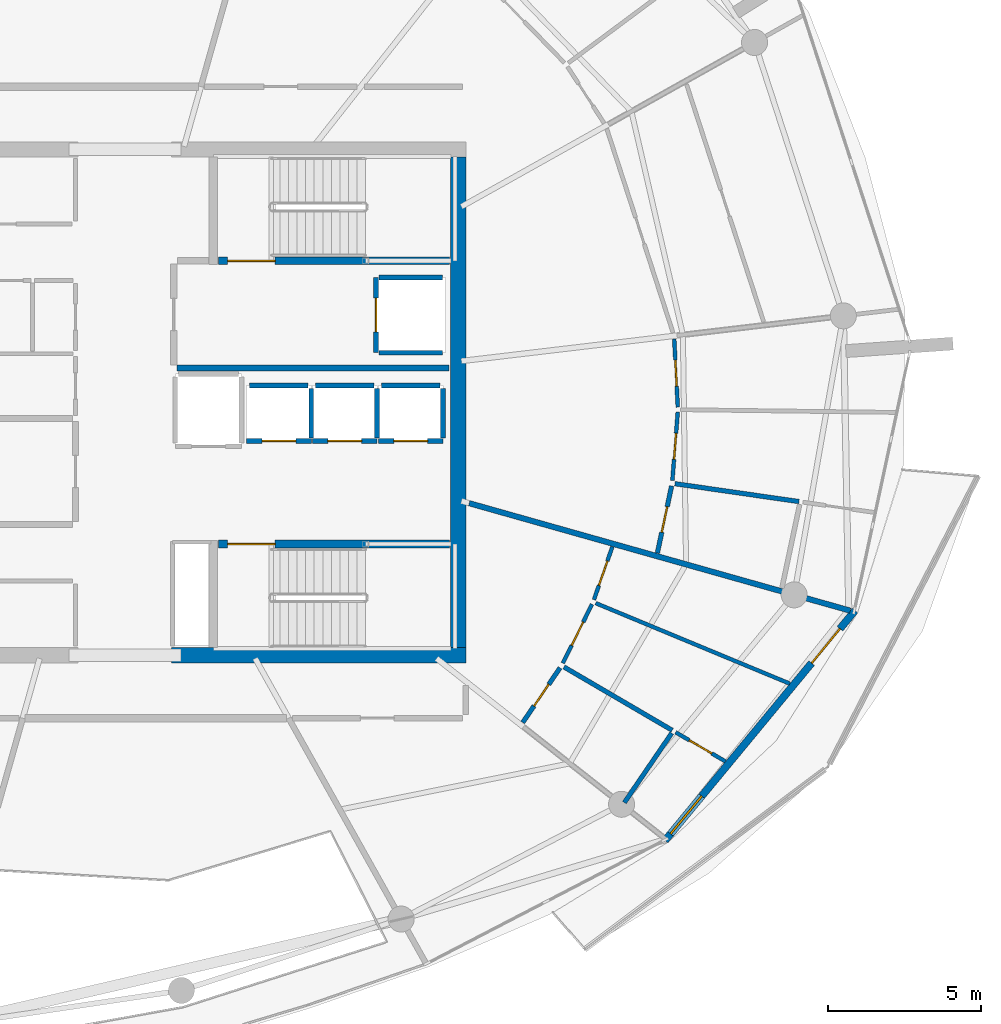
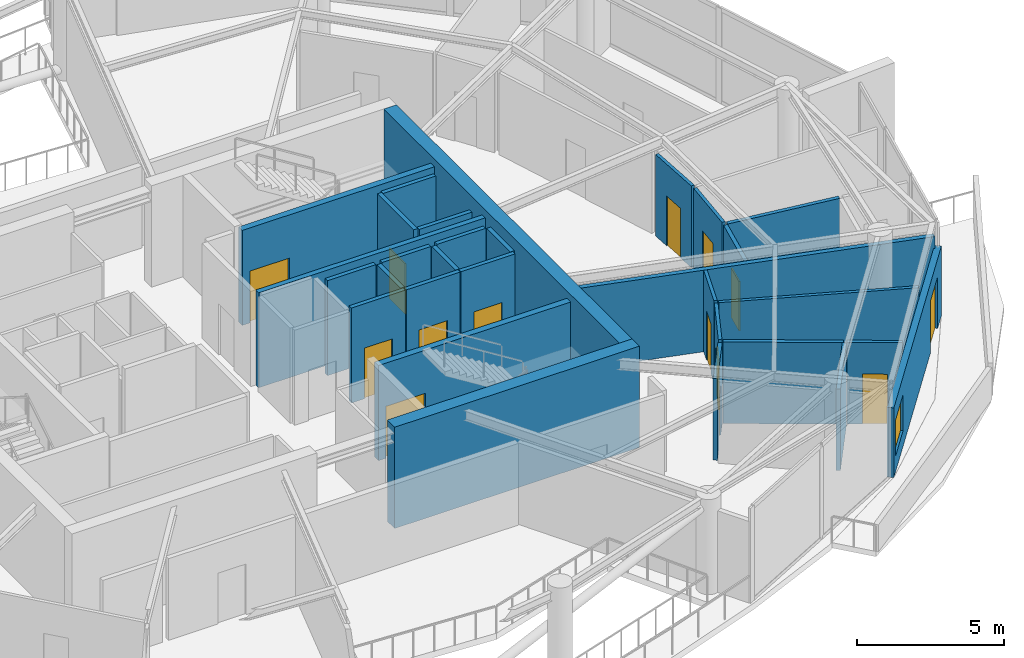
# One storey, part 15 of 22: 30 walls, 14 doors, 1 window, 15 openings.
"""IFC4 building model written with IfcOpenShell, lengths in metres."""

from ifc_helpers import new_model, si_unit, direction, frame, frame_2d, origin, place, context, subcontext, project, spatial, rectangle, extrude, material, layer, layer_set, type_object, element, fill, save


model = new_model("IFC4")

# Units and contexts
model_context = context("Model", 3, precision=1e-05, world=origin(), true_north=direction((0.0, 1.0)))
body_context = subcontext(model_context, "Body", "Model", "MODEL_VIEW")
ifc_project = project(units=[si_unit("LENGTHUNIT", "METRE"), si_unit("AREAUNIT", "SQUARE_METRE"), si_unit("VOLUMEUNIT", "CUBIC_METRE"), si_unit("PLANEANGLEUNIT", "RADIAN"), si_unit("MASSUNIT", "GRAM", prefix="KILO")], contexts=[model_context])

# Site, building, storey
site_placement = place(None, origin())
site = spatial("IfcSite", under=ifc_project, at=site_placement, CompositionType="ELEMENT")
building_placement = place(site_placement, origin())
building = spatial("IfcBuilding", under=site, at=building_placement, Name="Kazma Halo Residences", CompositionType="ELEMENT")
storey_placement = place(building_placement, frame((0.0, 0.0, 334.699951171875)))
storey = spatial("IfcBuildingStorey", under=building, at=storey_placement, Name="L84", CompositionType="ELEMENT", Elevation=334.699951171875)

# Walls
ifc_material_1 = material(Name="Concrete C60/75", Category="concrete")
ifc_layer_1 = layer(ifc_material_1, 0.5)
ifc_layer_set_1 = layer_set([ifc_layer_1], Name="Concrete C60/75")
wall_type_1 = type_object("IfcWallType", Name="WL-CORE-500", PredefinedType="SHEAR", material=ifc_layer_set_1)
wall_1_placement = place(storey_placement, frame((49.949951171875, 33.75, 0.0), z_axis=(0.0, 0.0, 1.0), x_axis=(1.0, 0.0, 0.0)))
element("IfcWall", 1, at=wall_1_placement, inside=storey, type_object=wall_type_1, Name="L84 central core shear wall SE", PredefinedType="SHEAR", context=body_context, shape_type="SweptSolid", body=[
    extrude(rectangle(XDim=9.60009765625, YDim=0.5, at=frame_2d((4.800048828125, 0.0))), origin(), (0.0, 0.0, 1.0), 4.199951171875),
])
wall_2_placement = place(storey_placement, frame((59.300048828125, 34.0, 0.0), z_axis=(0.0, 0.0, 1.0), x_axis=(0.0, 1.0, 0.0)))
element("IfcWall", 2, at=wall_2_placement, inside=storey, type_object=wall_type_1, Name="L84 central core shear wall E", PredefinedType="SHEAR", context=body_context, shape_type="SweptSolid", body=[
    extrude(rectangle(XDim=16.0, YDim=0.5, at=frame_2d((8.0, 0.0))), origin(), (0.0, 0.0, 1.0), 4.199951171875),
])
ifc_material_2 = material(Name="Acoustic Twin-Stud Gypsum")
ifc_layer_2 = layer(ifc_material_2, 0.179931640625)
ifc_layer_set_2 = layer_set([ifc_layer_2], Name="Acoustic Twin-Stud Gypsum")
wall_type_2 = type_object("IfcWallType", Name="WL-DEM-180", PredefinedType="PARTITIONING", material=ifc_layer_set_2)
wall_3_placement = place(storey_placement, frame((59.656005859375, 38.712646484375, 0.0), z_axis=(0.0, 0.0, 1.0), x_axis=(0.962457020055, -0.271434125613, 0.0)))
element("IfcWall", 3, at=wall_3_placement, inside=storey, type_object=wall_type_2, Name="L84 apartment demising radial wall 14", PredefinedType="PARTITIONING", context=body_context, shape_type="SweptSolid", body=[
    extrude(rectangle(XDim=12.916015625, YDim=0.179931640625, at=frame_2d((6.4580078125, 0.0))), origin(), (0.0, 0.0, 1.0), 3.380126953125),
])

# Wall, openings, door, window
ifc_material_3 = material(Name="Insulated Pale-Metal Composite Wall")
ifc_layer_3 = layer(ifc_material_3, 0.239990234375)
ifc_layer_set_3 = layer_set([ifc_layer_3], Name="Insulated Pale-Metal Composite Wall")
wall_type_3 = type_object("IfcWallType", Name="WL-EXT-HOST-240", PredefinedType="SOLIDWALL", material=ifc_layer_set_3)
wall_4_placement = place(storey_placement, frame((66.044677734375, 27.711181640625, 0.0), z_axis=(0.0, 0.0, 1.0), x_axis=(0.636803612721, 0.771026042897, 0.0)))
wall_4 = element("IfcWall", 4, at=wall_4_placement, inside=storey, type_object=wall_type_3, Name="L84 exterior terrace-access wall B14", PredefinedType="SOLIDWALL", context=body_context, shape_type="SweptSolid", body=[
    extrude(rectangle(XDim=9.7275390625, YDim=0.239990234375, at=frame_2d((4.86376953125, 0.0))), origin(), (0.0, 0.0, 1.0), 2.89013671875),
])
opening_1_placement = place(wall_4_placement, frame((7.5078125, 0.0, 0.0)))
opening_1 = element("IfcOpeningElement", 5, at=opening_1_placement, cuts=wall_4, Name="Opening DTR-1600", PredefinedType="OPENING", context=body_context, shape_type="SweptSolid", body=[
    extrude(rectangle(XDim=1.449951171875, YDim=2.14990234375, at=frame_2d((0.72509765625, 1.074951171875))), frame((0.0, 0.1298828125, 0.0), z_axis=(0.0, -1.0, 0.0), x_axis=(1.0, 0.0, 0.0)), (0.0, 0.0, 1.0), 0.260009765625),
])
opening_2_placement = place(wall_4_placement, frame((0.280029296875, 0.0, 0.64990234375)))
opening_2 = element("IfcOpeningElement", 6, at=opening_2_placement, cuts=wall_4, Name="Opening W-1800", PredefinedType="OPENING", context=body_context, shape_type="SweptSolid", body=[
    extrude(rectangle(XDim=1.60009765625, YDim=1.5, at=frame_2d((0.800048828125, 0.75))), frame((0.0, 0.1298828125, 0.0), z_axis=(0.0, -1.0, 0.0), x_axis=(1.0, 0.0, 0.0)), (0.0, 0.0, 1.0), 0.260009765625),
])
ifc_material_4 = material(Name="Aluminium AW-6063 T6 Double-Glazed Terrace Door", Category="aluminium")
door_type_1 = type_object("IfcDoorType", Name="DR-EXT-TERR-1600", OperationType="NOTDEFINED", PredefinedType="DOOR", material=ifc_material_4)
door_1_placement = place(opening_1_placement, origin())
door_1 = element("IfcDoor", 7, at=door_1_placement, inside=storey, type_object=door_type_1, Name="L84 B14 balcony terrace door", OperationType="DOUBLE_DOOR_SLIDING", OverallHeight=2.14990234375, OverallWidth=1.449951171875, PredefinedType="DOOR", context=body_context, shape_type="SweptSolid", body=[
    extrude(rectangle(XDim=1.449951171875, YDim=2.14990234375, at=frame_2d((0.72509765625, 1.074951171875))), frame((0.0, 0.02490234375, 0.0), z_axis=(0.0, -1.0, 0.0), x_axis=(1.0, 0.0, 0.0)), (0.0, 0.0, 1.0), 0.050048828125),
])
fill(opening_1, door_1)
ifc_material_5 = material(Name="Clear Triple-Silver Low-E Glass in Aluminium AW-6063 T6 Frame", Category="aluminium")
window_type = type_object("IfcWindowType", Name="WIN-RES-1800", PartitioningType="DOUBLE_PANEL_VERTICAL", PredefinedType="WINDOW", material=ifc_material_5)
window_placement = place(opening_2_placement, origin())
window = element("IfcWindow", 8, at=window_placement, inside=storey, type_object=window_type, Name="L84 B14 apartment window", OverallHeight=1.5, OverallWidth=1.60009765625, PartitioningType="SINGLE_PANEL", PredefinedType="WINDOW", context=body_context, shape_type="SweptSolid", body=[
    extrude(rectangle(XDim=1.60009765625, YDim=1.5, at=frame_2d((0.800048828125, 0.75))), frame((0.0, 0.030029296875, 0.0), z_axis=(0.0, -1.0, 0.0), x_axis=(1.0, 0.0, 0.0)), (0.0, 0.0, 1.0), 0.06005859375),
])
fill(opening_2, window)

# Wall, opening, door
ifc_material_6 = material(Name="Fire-Rated Blockwork Masonry", Category="masonry")
ifc_layer_4 = layer(ifc_material_6, 0.199951171875)
ifc_layer_set_4 = layer_set([ifc_layer_4], Name="Fire-Rated Blockwork Masonry")
wall_type_4 = type_object("IfcWallType", Name="WL-FLB-200", PredefinedType="PARTITIONING", material=ifc_layer_set_4)
wall_5_placement = place(storey_placement, frame((54.5048828125, 40.7451171875, 0.0), z_axis=(0.0, 0.0, 1.0), x_axis=(-1.0, 0.0, 0.0)))
wall_5 = element("IfcWall", 9, at=wall_5_placement, inside=storey, type_object=wall_type_4, Name="L84 lift shaft PH-01 front wall", PredefinedType="PARTITIONING", context=body_context, shape_type="SweptSolid", body=[
    extrude(rectangle(XDim=2.10986328125, YDim=0.159912109375, at=frame_2d((1.054931640625, 0.0))), origin(), (0.0, 0.0, 1.0), 3.93994140625),
])
opening_3_placement = place(wall_5_placement, frame((0.5048828125, 0.0, 0.0)))
opening_3 = element("IfcOpeningElement", 10, at=opening_3_placement, cuts=wall_5, Name="Opening LD-PH-01", PredefinedType="OPENING", context=body_context, shape_type="SweptSolid", body=[
    extrude(rectangle(XDim=1.10009765625, YDim=2.10009765625, at=frame_2d((0.550048828125, 1.050048828125))), frame((0.0, 0.08984375, 0.0), z_axis=(0.0, -1.0, 0.0), x_axis=(1.0, 0.0, 0.0)), (0.0, 0.0, 1.0), 0.179931640625),
])
ifc_material_7 = material(Name="Stainless Steel Fire-Rated", Category="steel")
door_type_2 = type_object("IfcDoorType", Name="DR-LIFT-SLD-1100", OperationType="DOUBLE_DOOR_SLIDING", PredefinedType="DOOR", material=ifc_material_7)
door_2_placement = place(opening_3_placement, origin())
door_2 = element("IfcDoor", 11, at=door_2_placement, inside=storey, type_object=door_type_2, Name="L84 lift PH-01 sliding landing door", OperationType="DOUBLE_DOOR_SLIDING", OverallHeight=2.10009765625, OverallWidth=1.10009765625, PredefinedType="DOOR", context=body_context, shape_type="SweptSolid", body=[
    extrude(rectangle(XDim=1.10009765625, YDim=2.10009765625, at=frame_2d((0.550048828125, 1.050048828125))), frame((0.0, 0.02490234375, 0.0), z_axis=(0.0, -1.0, 0.0), x_axis=(1.0, 0.0, 0.0)), (0.0, 0.0, 1.0), 0.050048828125),
])
fill(opening_3, door_2)

# Walls
wall_6_placement = place(storey_placement, frame((54.5048828125, 40.844970703125, 0.0), z_axis=(0.0, 0.0, 1.0), x_axis=(0.0, 1.0, 0.0)))
element("IfcWall", 12, at=wall_6_placement, inside=storey, type_object=wall_type_4, Name="L84 lift shaft PH-01 side wall E", PredefinedType="PARTITIONING", context=body_context, shape_type="SweptSolid", body=[
    extrude(rectangle(XDim=1.610107421875, YDim=0.159912109375, at=frame_2d((0.80517578125, 0.0))), origin(), (0.0, 0.0, 1.0), 3.93994140625),
])
wall_7_placement = place(storey_placement, frame((52.4951171875, 42.554931640625, 0.0), z_axis=(0.0, 0.0, 1.0), x_axis=(1.0, 0.0, 0.0)))
element("IfcWall", 13, at=wall_7_placement, inside=storey, type_object=wall_type_4, Name="L84 lift shaft PH-01 side wall N", PredefinedType="PARTITIONING", context=body_context, shape_type="SweptSolid", body=[
    extrude(rectangle(XDim=1.909912109375, YDim=0.159912109375, at=frame_2d((0.955078125, 0.0))), origin(), (0.0, 0.0, 1.0), 3.93994140625),
])

# Wall, opening, door
wall_8_placement = place(storey_placement, frame((56.655029296875, 40.7451171875, 0.0), z_axis=(0.0, 0.0, 1.0), x_axis=(-1.0, 0.0, 0.0)))
wall_8 = element("IfcWall", 14, at=wall_8_placement, inside=storey, type_object=wall_type_4, Name="L84 lift shaft PH-02 front wall", PredefinedType="PARTITIONING", context=body_context, shape_type="SweptSolid", body=[
    extrude(rectangle(XDim=2.110107421875, YDim=0.159912109375, at=frame_2d((1.05517578125, 0.0))), origin(), (0.0, 0.0, 1.0), 3.93994140625),
])
opening_4_placement = place(wall_8_placement, frame((0.5048828125, 0.0, 0.0)))
opening_4 = element("IfcOpeningElement", 15, at=opening_4_placement, cuts=wall_8, Name="Opening LD-PH-02", PredefinedType="OPENING", context=body_context, shape_type="SweptSolid", body=[
    extrude(rectangle(XDim=1.10009765625, YDim=2.10009765625, at=frame_2d((0.550048828125, 1.050048828125))), frame((0.0, 0.08984375, 0.0), z_axis=(0.0, -1.0, 0.0), x_axis=(1.0, 0.0, 0.0)), (0.0, 0.0, 1.0), 0.179931640625),
])
door_3_placement = place(opening_4_placement, origin())
door_3 = element("IfcDoor", 16, at=door_3_placement, inside=storey, type_object=door_type_2, Name="L84 lift PH-02 sliding landing door", OperationType="DOUBLE_DOOR_SLIDING", OverallHeight=2.10009765625, OverallWidth=1.10009765625, PredefinedType="DOOR", context=body_context, shape_type="SweptSolid", body=[
    extrude(rectangle(XDim=1.10009765625, YDim=2.10009765625, at=frame_2d((0.550048828125, 1.050048828125))), frame((0.0, 0.02490234375, 0.0), z_axis=(0.0, -1.0, 0.0), x_axis=(1.0, 0.0, 0.0)), (0.0, 0.0, 1.0), 0.050048828125),
])
fill(opening_4, door_3)

# Walls
wall_9_placement = place(storey_placement, frame((56.655029296875, 40.844970703125, 0.0), z_axis=(0.0, 0.0, 1.0), x_axis=(0.0, 1.0, 0.0)))
element("IfcWall", 17, at=wall_9_placement, inside=storey, type_object=wall_type_4, Name="L84 lift shaft PH-02 side wall E", PredefinedType="PARTITIONING", context=body_context, shape_type="SweptSolid", body=[
    extrude(rectangle(XDim=1.610107421875, YDim=0.159912109375, at=frame_2d((0.80517578125, 0.0))), origin(), (0.0, 0.0, 1.0), 3.93994140625),
])
wall_10_placement = place(storey_placement, frame((54.64501953125, 42.554931640625, 0.0), z_axis=(0.0, 0.0, 1.0), x_axis=(1.0, 0.0, 0.0)))
element("IfcWall", 18, at=wall_10_placement, inside=storey, type_object=wall_type_4, Name="L84 lift shaft PH-02 side wall N", PredefinedType="PARTITIONING", context=body_context, shape_type="SweptSolid", body=[
    extrude(rectangle(XDim=1.909912109375, YDim=0.159912109375, at=frame_2d((0.955078125, 0.0))), origin(), (0.0, 0.0, 1.0), 3.93994140625),
])

# Wall, opening, door
wall_11_placement = place(storey_placement, frame((58.804931640625, 40.7451171875, 0.0), z_axis=(0.0, 0.0, 1.0), x_axis=(-1.0, 0.0, 0.0)))
wall_11 = element("IfcWall", 19, at=wall_11_placement, inside=storey, type_object=wall_type_4, Name="L84 lift shaft PH-03 front wall", PredefinedType="PARTITIONING", context=body_context, shape_type="SweptSolid", body=[
    extrude(rectangle(XDim=2.10986328125, YDim=0.159912109375, at=frame_2d((1.054931640625, 0.0))), origin(), (0.0, 0.0, 1.0), 3.93994140625),
])
opening_5_placement = place(wall_11_placement, frame((0.5048828125, 0.0, 0.0)))
opening_5 = element("IfcOpeningElement", 20, at=opening_5_placement, cuts=wall_11, Name="Opening LD-PH-03", PredefinedType="OPENING", context=body_context, shape_type="SweptSolid", body=[
    extrude(rectangle(XDim=1.10009765625, YDim=2.10009765625, at=frame_2d((0.550048828125, 1.050048828125))), frame((0.0, 0.08984375, 0.0), z_axis=(0.0, -1.0, 0.0), x_axis=(1.0, 0.0, 0.0)), (0.0, 0.0, 1.0), 0.179931640625),
])
door_4_placement = place(opening_5_placement, origin())
door_4 = element("IfcDoor", 21, at=door_4_placement, inside=storey, type_object=door_type_2, Name="L84 lift PH-03 sliding landing door", OperationType="DOUBLE_DOOR_SLIDING", OverallHeight=2.10009765625, OverallWidth=1.10009765625, PredefinedType="DOOR", context=body_context, shape_type="SweptSolid", body=[
    extrude(rectangle(XDim=1.10009765625, YDim=2.10009765625, at=frame_2d((0.550048828125, 1.050048828125))), frame((0.0, 0.02490234375, 0.0), z_axis=(0.0, -1.0, 0.0), x_axis=(1.0, 0.0, 0.0)), (0.0, 0.0, 1.0), 0.050048828125),
])
fill(opening_5, door_4)

# Walls
wall_12_placement = place(storey_placement, frame((58.804931640625, 40.844970703125, 0.0), z_axis=(0.0, 0.0, 1.0), x_axis=(0.0, 1.0, 0.0)))
element("IfcWall", 22, at=wall_12_placement, inside=storey, type_object=wall_type_4, Name="L84 lift shaft PH-03 side wall E", PredefinedType="PARTITIONING", context=body_context, shape_type="SweptSolid", body=[
    extrude(rectangle(XDim=1.610107421875, YDim=0.159912109375, at=frame_2d((0.80517578125, 0.0))), origin(), (0.0, 0.0, 1.0), 3.93994140625),
])
wall_13_placement = place(storey_placement, frame((56.794921875, 42.554931640625, 0.0), z_axis=(0.0, 0.0, 1.0), x_axis=(1.0, 0.0, 0.0)))
element("IfcWall", 23, at=wall_13_placement, inside=storey, type_object=wall_type_4, Name="L84 lift shaft PH-03 side wall N", PredefinedType="PARTITIONING", context=body_context, shape_type="SweptSolid", body=[
    extrude(rectangle(XDim=1.91015625, YDim=0.159912109375, at=frame_2d((0.955078125, 0.0))), origin(), (0.0, 0.0, 1.0), 3.93994140625),
])

# Wall, opening, door
wall_14_placement = place(storey_placement, frame((56.6201171875, 46.080078125, 0.0), z_axis=(0.0, 0.0, 1.0), x_axis=(0.0, -1.0, 0.0)))
wall_14 = element("IfcWall", 24, at=wall_14_placement, inside=storey, type_object=wall_type_4, Name="L84 lift shaft FL-02 front wall", PredefinedType="PARTITIONING", context=body_context, shape_type="SweptSolid", body=[
    extrude(rectangle(XDim=2.4599609375, YDim=0.159912109375, at=frame_2d((1.22998046875, 0.0))), origin(), (0.0, 0.0, 1.0), 3.93994140625),
])
opening_6_placement = place(wall_14_placement, frame((0.679931640625, 0.0, 0.0)))
opening_6 = element("IfcOpeningElement", 25, at=opening_6_placement, cuts=wall_14, Name="Opening LD-FL-02", PredefinedType="OPENING", context=body_context, shape_type="SweptSolid", body=[
    extrude(rectangle(XDim=1.10009765625, YDim=2.10009765625, at=frame_2d((0.550048828125, 1.050048828125))), frame((0.0, 0.08984375, 0.0), z_axis=(0.0, -1.0, 0.0), x_axis=(1.0, 0.0, 0.0)), (0.0, 0.0, 1.0), 0.179931640625),
])
door_5_placement = place(opening_6_placement, origin())
door_5 = element("IfcDoor", 26, at=door_5_placement, inside=storey, type_object=door_type_2, Name="L84 lift FL-02 sliding landing door", OperationType="DOUBLE_DOOR_SLIDING", OverallHeight=2.10009765625, OverallWidth=1.10009765625, PredefinedType="DOOR", context=body_context, shape_type="SweptSolid", body=[
    extrude(rectangle(XDim=1.10009765625, YDim=2.10009765625, at=frame_2d((0.550048828125, 1.050048828125))), frame((0.0, 0.02490234375, 0.0), z_axis=(0.0, -1.0, 0.0), x_axis=(1.0, 0.0, 0.0)), (0.0, 0.0, 1.0), 0.050048828125),
])
fill(opening_6, door_5)

# Walls
for number, where, z_axis, x_axis, name in (
    (27, (56.719970703125, 46.080078125, 0.0), (0.0, 0.0, 1.0), (1.0, 0.0, 0.0), "L84 lift shaft FL-02 side wall N"),
    (28, (56.719970703125, 43.6201171875, 0.0), (0.0, 0.0, 1.0), (1.0, 0.0, 0.0), "L84 lift shaft FL-02 side wall S"),
):
    element("IfcWall", number, at=place(storey_placement, frame(where, z_axis=z_axis, x_axis=x_axis)), inside=storey, type_object=wall_type_4, Name=name, PredefinedType="PARTITIONING", context=body_context, shape_type="SweptSolid", body=[
        extrude(rectangle(XDim=2.06005859375, YDim=0.159912109375, at=frame_2d((1.030029296875, 0.0))), origin(), (0.0, 0.0, 1.0), 3.93994140625),
    ])
wall_15_placement = place(storey_placement, frame((50.1201171875, 43.1201171875, 0.0), z_axis=(0.0, 0.0, 1.0), x_axis=(1.0, 0.0, 0.0)))
element("IfcWall", 29, at=wall_15_placement, inside=storey, type_object=wall_type_4, Name="L84 east firefighting lobby south smoke wall", PredefinedType="PARTITIONING", context=body_context, shape_type="SweptSolid", body=[
    extrude(rectangle(XDim=8.8798828125, YDim=0.199951171875, at=frame_2d((4.43994140625, 0.0))), origin(), (0.0, 0.0, 1.0), 3.93994140625),
])

# Wall, opening, door
ifc_material_8 = material(Name="Gypsum Plasterboard Partition")
ifc_layer_5 = layer(ifc_material_8, 0.125)
ifc_layer_set_5 = layer_set([ifc_layer_5], Name="Gypsum Plasterboard Partition")
wall_type_5 = type_object("IfcWallType", Name="WL-PART-125", PredefinedType="PARTITIONING", material=ifc_layer_set_5)
wall_16_placement = place(storey_placement, frame((66.389892578125, 31.240966796875, 0.0), z_axis=(0.0, 0.0, 1.0), x_axis=(0.863105475884, -0.505023699939, 0.0)))
wall_16 = element("IfcWall", 30, at=wall_16_placement, inside=storey, type_object=wall_type_5, Name="L84 Penthouse 3 Household Store Room partition wall", PredefinedType="PARTITIONING", context=body_context, shape_type="SweptSolid", body=[
    extrude(rectangle(XDim=1.882568359375, YDim=0.125, at=frame_2d((0.94140625, 0.0))), origin(), (0.0, 0.0, 1.0), 3.380126953125),
])
opening_7_placement = place(wall_16_placement, frame((0.51611328125, 0.0, 0.0)))
opening_7 = element("IfcOpeningElement", 31, at=opening_7_placement, cuts=wall_16, Name="Opening DB-900", PredefinedType="OPENING", context=body_context, shape_type="SweptSolid", body=[
    extrude(rectangle(XDim=0.85009765625, YDim=2.06005859375, at=frame_2d((0.425048828125, 1.030029296875))), frame((0.0, 0.072509765625, 0.0), z_axis=(0.0, -1.0, 0.0), x_axis=(1.0, 0.0, 0.0)), (0.0, 0.0, 1.0), 0.14501953125),
])
ifc_material_9 = material(Name="Moisture-Sealed Timber Leaf", Category="wood")
door_type_3 = type_object("IfcDoorType", Name="DR-BTH-900", OperationType="NOTDEFINED", PredefinedType="DOOR", material=ifc_material_9)
door_6_placement = place(opening_7_placement, origin())
door_6 = element("IfcDoor", 32, at=door_6_placement, inside=storey, type_object=door_type_3, Name="L84 Penthouse 3 Household Store Room door", OperationType="SINGLE_SWING_LEFT", OverallHeight=2.06005859375, OverallWidth=0.85009765625, PredefinedType="DOOR", context=body_context, shape_type="SweptSolid", body=[
    extrude(rectangle(XDim=0.85009765625, YDim=2.06005859375, at=frame_2d((0.425048828125, 1.030029296875))), frame((0.0, 0.02490234375, 0.0), z_axis=(0.0, -1.0, 0.0), x_axis=(1.0, 0.0, 0.0)), (0.0, 0.0, 1.0), 0.050048828125),
])
fill(opening_7, door_6)

# Wall
wall_17_placement = place(storey_placement, frame((63.781982421875, 35.453369140625, 0.0), z_axis=(0.0, 0.0, 1.0), x_axis=(0.923676337231, -0.383173621274, 0.0)))
element("IfcWall", 33, at=wall_17_placement, inside=storey, type_object=wall_type_5, Name="L84 Penthouse 3 suite divider 13", PredefinedType="PARTITIONING", context=body_context, shape_type="SweptSolid", body=[
    extrude(rectangle(XDim=6.855712890625, YDim=0.125, at=frame_2d((3.427734375, 0.0))), origin(), (0.0, 0.0, 1.0), 3.380126953125),
])

# Wall, opening, door
wall_18_placement = place(storey_placement, frame((62.7099609375, 33.498046875, 0.0), z_axis=(0.0, 0.0, 1.0), x_axis=(0.44506959559, 0.895495982728, 0.0)))
wall_18 = element("IfcWall", 34, at=wall_18_placement, inside=storey, type_object=wall_type_5, Name="L84 Penthouse 3 Gourmet Kitchen hall wall", PredefinedType="PARTITIONING", context=body_context, shape_type="SweptSolid", body=[
    extrude(rectangle(XDim=2.14208984375, YDim=0.125, at=frame_2d((1.071044921875, 0.0))), origin(), (0.0, 0.0, 1.0), 3.380126953125),
])
opening_8_placement = place(wall_18_placement, frame((0.64599609375, 0.0, 0.0)))
opening_8 = element("IfcOpeningElement", 35, at=opening_8_placement, cuts=wall_18, Name="Opening DB-900", PredefinedType="OPENING", context=body_context, shape_type="SweptSolid", body=[
    extrude(rectangle(XDim=0.85009765625, YDim=2.06005859375, at=frame_2d((0.425048828125, 1.030029296875))), frame((0.0, 0.072509765625, 0.0), z_axis=(0.0, -1.0, 0.0), x_axis=(1.0, 0.0, 0.0)), (0.0, 0.0, 1.0), 0.14501953125),
])
door_7_placement = place(opening_8_placement, origin())
door_7 = element("IfcDoor", 36, at=door_7_placement, inside=storey, type_object=door_type_3, Name="L84 Penthouse 3 Gourmet Kitchen door", OperationType="SINGLE_SWING_RIGHT", OverallHeight=2.06005859375, OverallWidth=0.85009765625, PredefinedType="DOOR", context=body_context, shape_type="SweptSolid", body=[
    extrude(rectangle(XDim=0.85009765625, YDim=2.06005859375, at=frame_2d((0.425048828125, 1.030029296875))), frame((0.0, 0.02490234375, 0.0), z_axis=(0.0, -1.0, 0.0), x_axis=(1.0, 0.0, 0.0)), (0.0, 0.0, 1.0), 0.050048828125),
])
fill(opening_8, door_7)

wall_19_placement = place(storey_placement, frame((63.72509765625, 35.5634765625, 0.0), z_axis=(0.0, 0.0, 1.0), x_axis=(0.327971997205, 0.944687445163, 0.0)))
wall_19 = element("IfcWall", 37, at=wall_19_placement, inside=storey, type_object=wall_type_5, Name="L84 Penthouse 3 Primary Bedroom hall wall", PredefinedType="PARTITIONING", context=body_context, shape_type="SweptSolid", body=[
    extrude(rectangle(XDim=1.829833984375, YDim=0.125, at=frame_2d((0.9150390625, 0.0))), origin(), (0.0, 0.0, 1.0), 3.380126953125),
])
opening_9_placement = place(wall_19_placement, frame((0.489990234375, 0.0, 0.0)))
opening_9 = element("IfcOpeningElement", 38, at=opening_9_placement, cuts=wall_19, Name="Opening DB-900", PredefinedType="OPENING", context=body_context, shape_type="SweptSolid", body=[
    extrude(rectangle(XDim=0.85009765625, YDim=2.06005859375, at=frame_2d((0.425048828125, 1.030029296875))), frame((0.0, 0.072509765625, 0.0), z_axis=(0.0, -1.0, 0.0), x_axis=(1.0, 0.0, 0.0)), (0.0, 0.0, 1.0), 0.14501953125),
])
door_8_placement = place(opening_9_placement, origin())
door_8 = element("IfcDoor", 39, at=door_8_placement, inside=storey, type_object=door_type_3, Name="L84 Penthouse 3 Primary Bedroom door", OperationType="SINGLE_SWING_LEFT", OverallHeight=2.06005859375, OverallWidth=0.85009765625, PredefinedType="DOOR", context=body_context, shape_type="SweptSolid", body=[
    extrude(rectangle(XDim=0.85009765625, YDim=2.06005859375, at=frame_2d((0.425048828125, 1.030029296875))), frame((0.0, 0.02490234375, 0.0), z_axis=(0.0, -1.0, 0.0), x_axis=(1.0, 0.0, 0.0)), (0.0, 0.0, 1.0), 0.050048828125),
])
fill(opening_9, door_8)

wall_20_placement = place(storey_placement, frame((66.28369140625, 39.451904296875, 0.0), z_axis=(0.0, 0.0, 1.0), x_axis=(0.077946923976, 0.996957510149, 0.0)))
wall_20 = element("IfcWall", 40, at=wall_20_placement, inside=storey, type_object=wall_type_5, Name="L84 Penthouse 4 Gourmet Kitchen hall wall", PredefinedType="PARTITIONING", context=body_context, shape_type="SweptSolid", body=[
    extrude(rectangle(XDim=2.239501953125, YDim=0.125, at=frame_2d((1.11962890625, 0.0))), origin(), (0.0, 0.0, 1.0), 3.380126953125),
])
opening_10_placement = place(wall_20_placement, frame((0.694580078125, 0.0, 0.0)))
opening_10 = element("IfcOpeningElement", 41, at=opening_10_placement, cuts=wall_20, Name="Opening DB-900", PredefinedType="OPENING", context=body_context, shape_type="SweptSolid", body=[
    extrude(rectangle(XDim=0.85009765625, YDim=2.06005859375, at=frame_2d((0.425048828125, 1.030029296875))), frame((0.0, 0.072509765625, 0.0), z_axis=(0.0, -1.0, 0.0), x_axis=(1.0, 0.0, 0.0)), (0.0, 0.0, 1.0), 0.14501953125),
])
door_9_placement = place(opening_10_placement, origin())
door_9 = element("IfcDoor", 42, at=door_9_placement, inside=storey, type_object=door_type_3, Name="L84 Penthouse 4 Gourmet Kitchen door", OperationType="SINGLE_SWING_LEFT", OverallHeight=2.06005859375, OverallWidth=0.85009765625, PredefinedType="DOOR", context=body_context, shape_type="SweptSolid", body=[
    extrude(rectangle(XDim=0.85009765625, YDim=2.06005859375, at=frame_2d((0.425048828125, 1.030029296875))), frame((0.0, 0.02490234375, 0.0), z_axis=(0.0, -1.0, 0.0), x_axis=(1.0, 0.0, 0.0)), (0.0, 0.0, 1.0), 0.050048828125),
])
fill(opening_10, door_9)

wall_21_placement = place(storey_placement, frame((66.460205078125, 41.84423828125, 0.0), z_axis=(0.0, 0.0, 1.0), x_axis=(-0.052455372953, 0.99862326923, 0.0)))
wall_21 = element("IfcWall", 43, at=wall_21_placement, inside=storey, type_object=wall_type_5, Name="L84 Penthouse 4 Primary Bedroom hall wall", PredefinedType="PARTITIONING", context=body_context, shape_type="SweptSolid", body=[
    extrude(rectangle(XDim=2.2294921875, YDim=0.125, at=frame_2d((1.11474609375, 0.0))), origin(), (0.0, 0.0, 1.0), 3.380126953125),
])
opening_11_placement = place(wall_21_placement, frame((0.689697265625, 0.0, 0.0)))
opening_11 = element("IfcOpeningElement", 44, at=opening_11_placement, cuts=wall_21, Name="Opening DB-900", PredefinedType="OPENING", context=body_context, shape_type="SweptSolid", body=[
    extrude(rectangle(XDim=0.85009765625, YDim=2.06005859375, at=frame_2d((0.425048828125, 1.030029296875))), frame((0.0, 0.072509765625, 0.0), z_axis=(0.0, -1.0, 0.0), x_axis=(1.0, 0.0, 0.0)), (0.0, 0.0, 1.0), 0.14501953125),
])
door_10_placement = place(opening_11_placement, origin())
door_10 = element("IfcDoor", 45, at=door_10_placement, inside=storey, type_object=door_type_3, Name="L84 Penthouse 4 Primary Bedroom door", OperationType="SINGLE_SWING_RIGHT", OverallHeight=2.06005859375, OverallWidth=0.85009765625, PredefinedType="DOOR", context=body_context, shape_type="SweptSolid", body=[
    extrude(rectangle(XDim=0.85009765625, YDim=2.06005859375, at=frame_2d((0.425048828125, 1.030029296875))), frame((0.0, 0.02490234375, 0.0), z_axis=(0.0, -1.0, 0.0), x_axis=(1.0, 0.0, 0.0)), (0.0, 0.0, 1.0), 0.050048828125),
])
fill(opening_11, door_10)

ifc_material_10 = material(Name="Concrete C50/60", Category="concrete")
ifc_layer_6 = layer(ifc_material_10, 0.25)
ifc_layer_set_6 = layer_set([ifc_layer_6], Name="Concrete C50/60")
wall_type_6 = type_object("IfcWallType", Name="WL-SHF-250", PredefinedType="SOLIDWALL", material=ifc_layer_set_6)
wall_22_placement = place(storey_placement, frame((51.47998046875, 46.6201171875, 0.0), z_axis=(0.0, 0.0, 1.0), x_axis=(1.0, 0.0, 0.0)))
wall_22 = element("IfcWall", 46, at=wall_22_placement, inside=storey, type_object=wall_type_6, Name="L84 exit stair ST-02 enclosure wall", PredefinedType="SOLIDWALL", context=body_context, shape_type="SweptSolid", body=[
    extrude(rectangle(XDim=7.5400390625, YDim=0.25, at=frame_2d((3.77001953125, 0.0))), origin(), (0.0, 0.0, 1.0), 3.93994140625),
])
opening_12_placement = place(wall_22_placement, frame((0.300048828125, 0.0, 0.0)))
opening_12 = element("IfcOpeningElement", 47, at=opening_12_placement, cuts=wall_22, Name="Opening D-ST2", PredefinedType="OPENING", context=body_context, shape_type="SweptSolid", body=[
    extrude(rectangle(XDim=1.550048828125, YDim=2.14990234375, at=frame_2d((0.77490234375, 1.074951171875))), frame((0.0, 0.135009765625, 0.0), z_axis=(0.0, -1.0, 0.0), x_axis=(1.0, 0.0, 0.0)), (0.0, 0.0, 1.0), 0.27001953125),
])
ifc_material_11 = material(Name="Fire-Rated Double Steel Leaf", Category="steel")
door_type_4 = type_object("IfcDoorType", Name="DR-FD90-1550", OperationType="NOTDEFINED", PredefinedType="DOOR", material=ifc_material_11)
door_11_placement = place(opening_12_placement, origin())
door_11 = element("IfcDoor", 48, at=door_11_placement, inside=storey, type_object=door_type_4, Name="L84 exit stair ST-02 fire door", OperationType="DOUBLE_DOOR_SINGLE_SWING", OverallHeight=2.14990234375, OverallWidth=1.550048828125, PredefinedType="DOOR", context=body_context, shape_type="SweptSolid", body=[
    extrude(rectangle(XDim=1.550048828125, YDim=2.14990234375, at=frame_2d((0.77490234375, 1.074951171875))), frame((0.0, 0.02490234375, 0.0), z_axis=(0.0, -1.0, 0.0), x_axis=(1.0, 0.0, 0.0)), (0.0, 0.0, 1.0), 0.050048828125),
])
fill(opening_12, door_11)

wall_23_placement = place(storey_placement, frame((51.47998046875, 37.3798828125, 0.0), z_axis=(0.0, 0.0, 1.0), x_axis=(1.0, 0.0, 0.0)))
wall_23 = element("IfcWall", 49, at=wall_23_placement, inside=storey, type_object=wall_type_6, Name="L84 exit stair ST-03 enclosure wall", PredefinedType="SOLIDWALL", context=body_context, shape_type="SweptSolid", body=[
    extrude(rectangle(XDim=7.5400390625, YDim=0.25, at=frame_2d((3.77001953125, 0.0))), origin(), (0.0, 0.0, 1.0), 3.93994140625),
])
opening_13_placement = place(wall_23_placement, frame((0.300048828125, 0.0, 0.0)))
opening_13 = element("IfcOpeningElement", 50, at=opening_13_placement, cuts=wall_23, Name="Opening D-ST3", PredefinedType="OPENING", context=body_context, shape_type="SweptSolid", body=[
    extrude(rectangle(XDim=1.550048828125, YDim=2.14990234375, at=frame_2d((0.77490234375, 1.074951171875))), frame((0.0, 0.135009765625, 0.0), z_axis=(0.0, -1.0, 0.0), x_axis=(1.0, 0.0, 0.0)), (0.0, 0.0, 1.0), 0.27001953125),
])
door_12_placement = place(opening_13_placement, origin())
door_12 = element("IfcDoor", 51, at=door_12_placement, inside=storey, type_object=door_type_4, Name="L84 exit stair ST-03 fire door", OperationType="DOUBLE_DOOR_SINGLE_SWING", OverallHeight=2.14990234375, OverallWidth=1.550048828125, PredefinedType="DOOR", context=body_context, shape_type="SweptSolid", body=[
    extrude(rectangle(XDim=1.550048828125, YDim=2.14990234375, at=frame_2d((0.77490234375, 1.074951171875))), frame((0.0, 0.02490234375, 0.0), z_axis=(0.0, -1.0, 0.0), x_axis=(1.0, 0.0, 0.0)), (0.0, 0.0, 1.0), 0.050048828125),
])
fill(opening_13, door_12)

ifc_material_12 = material(Name="Moisture-Resistant Gypsum")
ifc_layer_7 = layer(ifc_material_12, 0.14990234375)
ifc_layer_set_7 = layer_set([ifc_layer_7], Name="Moisture-Resistant Gypsum")
wall_type_7 = type_object("IfcWallType", Name="WL-WET-150", PredefinedType="PARTITIONING", material=ifc_layer_set_7)
wall_24_placement = place(storey_placement, frame((61.403564453125, 31.560546875, 0.0), z_axis=(0.0, 0.0, 1.0), x_axis=(0.563417581251, 0.826172275701, 0.0)))
wall_24 = element("IfcWall", 52, at=wall_24_placement, inside=storey, type_object=wall_type_7, Name="L84 Penthouse 3 Guest Bathroom hall wall", PredefinedType="PARTITIONING", context=body_context, shape_type="SweptSolid", body=[
    extrude(rectangle(XDim=2.157470703125, YDim=0.14990234375, at=frame_2d((1.07861328125, 0.0))), origin(), (0.0, 0.0, 1.0), 3.380126953125),
])
opening_14_placement = place(wall_24_placement, frame((0.65380859375, 0.0, 0.0)))
opening_14 = element("IfcOpeningElement", 53, at=opening_14_placement, cuts=wall_24, Name="Opening DB-900", PredefinedType="OPENING", context=body_context, shape_type="SweptSolid", body=[
    extrude(rectangle(XDim=0.85009765625, YDim=2.06005859375, at=frame_2d((0.425048828125, 1.030029296875))), frame((0.0, 0.0849609375, 0.0), z_axis=(0.0, -1.0, 0.0), x_axis=(1.0, 0.0, 0.0)), (0.0, 0.0, 1.0), 0.169921875),
])
door_13_placement = place(opening_14_placement, origin())
door_13 = element("IfcDoor", 54, at=door_13_placement, inside=storey, type_object=door_type_3, Name="L84 Penthouse 3 Guest Bathroom door", OperationType="SINGLE_SWING_RIGHT", OverallHeight=2.06005859375, OverallWidth=0.85009765625, PredefinedType="DOOR", context=body_context, shape_type="SweptSolid", body=[
    extrude(rectangle(XDim=0.85009765625, YDim=2.06005859375, at=frame_2d((0.425048828125, 1.030029296875))), frame((0.0, 0.02490234375, 0.0), z_axis=(0.0, -1.0, 0.0), x_axis=(1.0, 0.0, 0.0)), (0.0, 0.0, 1.0), 0.050048828125),
])
fill(opening_14, door_13)

# Walls
wall_25_placement = place(storey_placement, frame((64.717529296875, 28.947998046875, 0.0), z_axis=(0.0, 0.0, 1.0), x_axis=(0.563428051063, 0.826165135596, 0.0)))
element("IfcWall", 55, at=wall_25_placement, inside=storey, type_object=wall_type_7, Name="L84 Penthouse 3 Guest Bathroom back wall", PredefinedType="PARTITIONING", context=body_context, shape_type="SweptSolid", body=[
    extrude(rectangle(XDim=2.740234375, YDim=0.14990234375, at=frame_2d((1.3701171875, 0.0))), origin(), (0.0, 0.0, 1.0), 3.380126953125),
])
wall_26_placement = place(storey_placement, frame((62.74755859375, 33.3720703125, 0.0), z_axis=(0.0, 0.0, 1.0), x_axis=(0.863113475275, -0.505010028413, 0.0)))
element("IfcWall", 56, at=wall_26_placement, inside=storey, type_object=wall_type_7, Name="L84 Penthouse 3 Guest Bathroom side wall", PredefinedType="PARTITIONING", context=body_context, shape_type="SweptSolid", body=[
    extrude(rectangle(XDim=4.08984375, YDim=0.14990234375, at=frame_2d((2.044921875, 0.0))), origin(), (0.0, 0.0, 1.0), 3.380126953125),
])

# Wall, opening, door
wall_27_placement = place(storey_placement, frame((65.79345703125, 37.08544921875, 0.0), z_axis=(0.0, 0.0, 1.0), x_axis=(0.207539014182, 0.978226741401, 0.0)))
wall_27 = element("IfcWall", 57, at=wall_27_placement, inside=storey, type_object=wall_type_7, Name="L84 Penthouse 4 Guest Bathroom hall wall", PredefinedType="PARTITIONING", context=body_context, shape_type="SweptSolid", body=[
    extrude(rectangle(XDim=2.237548828125, YDim=0.14990234375, at=frame_2d((1.11865234375, 0.0))), origin(), (0.0, 0.0, 1.0), 3.380126953125),
])
opening_15_placement = place(wall_27_placement, frame((0.69384765625, 0.0, 0.0)))
opening_15 = element("IfcOpeningElement", 58, at=opening_15_placement, cuts=wall_27, Name="Opening DB-900", PredefinedType="OPENING", context=body_context, shape_type="SweptSolid", body=[
    extrude(rectangle(XDim=0.85009765625, YDim=2.06005859375, at=frame_2d((0.425048828125, 1.030029296875))), frame((0.0, 0.0849609375, 0.0), z_axis=(0.0, -1.0, 0.0), x_axis=(1.0, 0.0, 0.0)), (0.0, 0.0, 1.0), 0.169921875),
])
door_14_placement = place(opening_15_placement, origin())
door_14 = element("IfcDoor", 59, at=door_14_placement, inside=storey, type_object=door_type_3, Name="L84 Penthouse 4 Guest Bathroom door", OperationType="SINGLE_SWING_LEFT", OverallHeight=2.06005859375, OverallWidth=0.85009765625, PredefinedType="DOOR", context=body_context, shape_type="SweptSolid", body=[
    extrude(rectangle(XDim=0.85009765625, YDim=2.06005859375, at=frame_2d((0.425048828125, 1.030029296875))), frame((0.0, 0.02490234375, 0.0), z_axis=(0.0, -1.0, 0.0), x_axis=(1.0, 0.0, 0.0)), (0.0, 0.0, 1.0), 0.050048828125),
])
fill(opening_15, door_14)

# Wall
wall_28_placement = place(storey_placement, frame((66.36572265625, 39.349365234375, 0.0), z_axis=(0.0, 0.0, 1.0), x_axis=(0.989745523023, -0.142841869404, 0.0)))
element("IfcWall", 60, at=wall_28_placement, inside=storey, type_object=wall_type_7, Name="L84 Penthouse 4 Guest Bathroom side wall", PredefinedType="PARTITIONING", context=body_context, shape_type="SweptSolid", body=[
    extrude(rectangle(XDim=4.090087890625, YDim=0.14990234375, at=frame_2d((2.044921875, 0.0))), origin(), (0.0, 0.0, 1.0), 3.380126953125),
])

save(model, "model.ifc")
